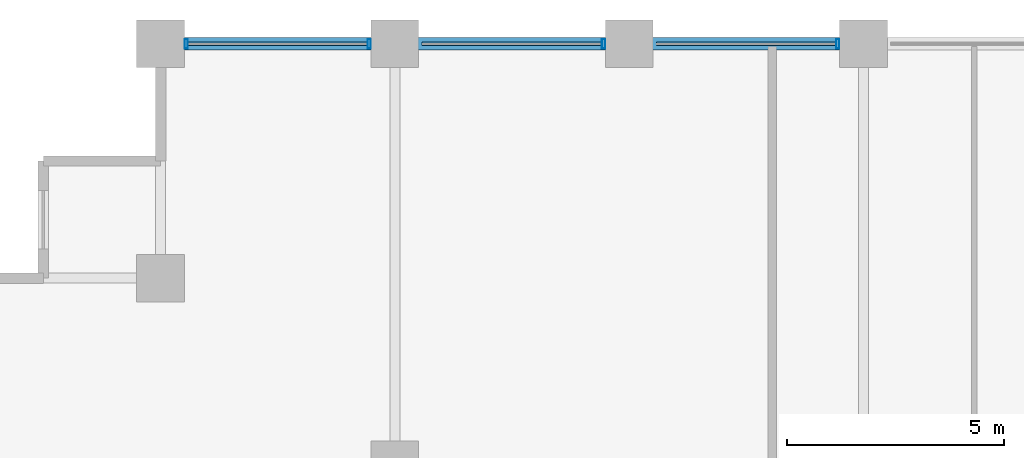
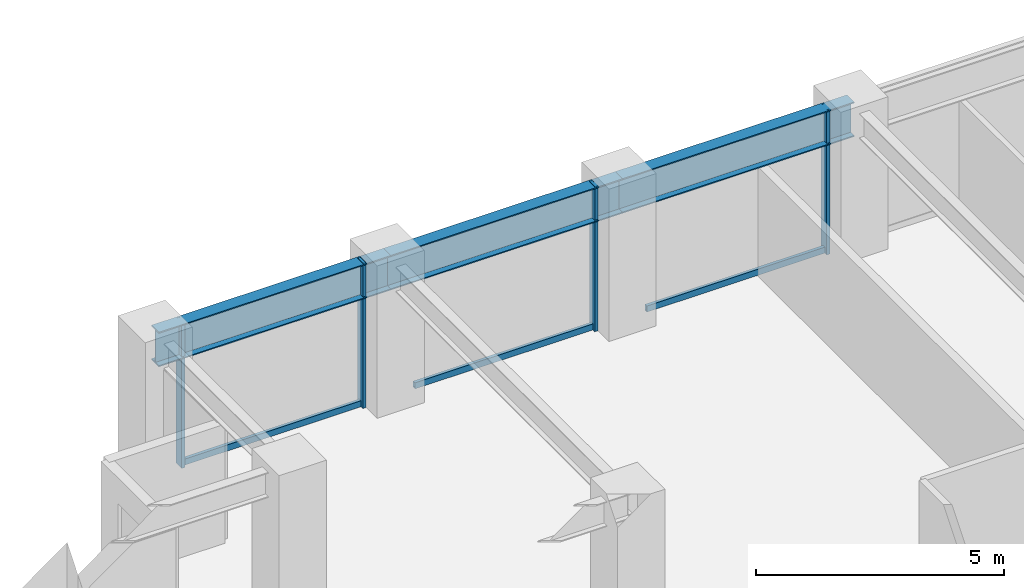
# One storey, part 11 of 25: 7 members, 3 beams, 1 element without a shape of its own.
"""IFC4 building model written with IfcOpenShell, lengths in metres."""

from ifc_helpers import new_model, si_unit, direction, frame, origin, origin_2d, place, context, subcontext, project, spatial, hollow_rectangle, i_section, extrude, material, layer, layer_set, material_profile, profile_set, type_object, element, aggregate, save


model = new_model("IFC4")

# Units and contexts
model_context = context("Model", 3, precision=1e-05, world=origin(), true_north=direction((0.0, 1.0)))
body_context = subcontext(model_context, "Body", "Model", "MODEL_VIEW")
ifc_project = project(units=[si_unit("LENGTHUNIT", "METRE"), si_unit("AREAUNIT", "SQUARE_METRE"), si_unit("VOLUMEUNIT", "CUBIC_METRE"), si_unit("PLANEANGLEUNIT", "RADIAN"), si_unit("MASSUNIT", "GRAM", prefix="KILO")], contexts=[model_context])

# Site, building, storey
site_placement = place(None, origin())
site = spatial("IfcSite", under=ifc_project, at=site_placement, CompositionType="ELEMENT")
building_placement = place(site_placement, origin())
building = spatial("IfcBuilding", under=site, at=building_placement, Name="Surkhivell Harbour Commons", CompositionType="ELEMENT")
storey_placement = place(building_placement, frame((0.0, 0.0, 94.5)))
storey = spatial("IfcBuildingStorey", under=building, at=storey_placement, Name="L24", CompositionType="ELEMENT", Elevation=94.5)

# Beams
ifc_material_1 = material(Name="Steel S460", Category="steel")
ifc_material_profile_1 = material_profile(ifc_material_1, i_section(OverallWidth=0.2939453125, OverallDepth=0.85107421875, WebThickness=0.01611328125, FlangeThickness=0.02685546875, at=origin_2d()), Name="UB838x292x226")
ifc_profile_set_1 = profile_set([ifc_material_profile_1], Name="Steel S460")
beam_type = type_object("IfcBeamType", Name="BM-SPN-838", PredefinedType="SPANDREL", material=ifc_profile_set_1)
beam_1_placement = place(storey_placement, frame((-27.0, 25.89990234375, 3.14453125), z_axis=(1.0, 0.0, 0.0), x_axis=(0.0, 1.0, 0.0)))
element("IfcBeam", 1, at=beam_1_placement, inside=storey, type_object=beam_type, Name="L24 Tube Spandrel (-27.0,25.9)", PredefinedType="SPANDREL", context=body_context, shape_type="SweptSolid", body=[
    extrude(i_section(OverallWidth=0.2939453125, OverallDepth=0.85107421875, WebThickness=0.01611328125, FlangeThickness=0.02685546875, at=origin_2d()), origin(), (0.0, 0.0, 1.0), 5.39990234375),
])
beam_2_placement = place(storey_placement, frame((-21.60009765625, 25.89990234375, 3.14453125), z_axis=(1.0, 0.0, 0.0), x_axis=(0.0, 1.0, 0.0)))
element("IfcBeam", 2, at=beam_2_placement, inside=storey, type_object=beam_type, Name="L24 Tube Spandrel (-21.6,25.9)", PredefinedType="SPANDREL", context=body_context, shape_type="SweptSolid", body=[
    extrude(i_section(OverallWidth=0.2939453125, OverallDepth=0.85107421875, WebThickness=0.01611328125, FlangeThickness=0.02685546875, at=origin_2d()), origin(), (0.0, 0.0, 1.0), 5.400146484375),
])
beam_3_placement = place(storey_placement, frame((-16.199951171875, 25.89990234375, 3.14453125), z_axis=(1.0, 0.0, 0.0), x_axis=(0.0, 1.0, 0.0)))
element("IfcBeam", 3, at=beam_3_placement, inside=storey, type_object=beam_type, Name="L24 Tube Spandrel (-16.2,25.9)", PredefinedType="SPANDREL", context=body_context, shape_type="SweptSolid", body=[
    extrude(i_section(OverallWidth=0.2939453125, OverallDepth=0.85107421875, WebThickness=0.01611328125, FlangeThickness=0.02685546875, at=origin_2d()), origin(), (0.0, 0.0, 1.0), 5.39990234375),
])

# Curtain wall, members
ifc_material_2 = material(Name="Anodised pale-metal aluminium and insulated glazing", Category="aluminium")
ifc_layer = layer(ifc_material_2, 0.205078125)
ifc_layer_set = layer_set([ifc_layer], Name="Anodised pale-metal aluminium and insulated glazing")
curtain_wall_type = type_object("IfcCurtainWallType", Name="CW-SYS-Z2", PredefinedType="NOTDEFINED", material=ifc_layer_set)
curtain_wall_placement = place(storey_placement, origin())
curtain_wall = element("IfcCurtainWall", 4, at=curtain_wall_placement, inside=storey, type_object=curtain_wall_type, Name="L24 Curtain Wall CW-L24-E07S2", PredefinedType="NOTDEFINED")
ifc_material_3 = material(Name="Anodised pale-metal aluminium alloy 6063-T6", Category="aluminium")
ifc_material_profile_2 = material_profile(ifc_material_3, hollow_rectangle(XDim=0.074951171875, YDim=0.219970703125, WallThickness=0.00390625, at=origin_2d()), Name="ALU-MULL-75x220")
ifc_profile_set_2 = profile_set([ifc_material_profile_2], Name="Anodised pale-metal aluminium alloy 6063-T6")
member_type_1 = type_object("IfcMemberType", Name="CWM-220", PredefinedType="MULLION", material=ifc_profile_set_2)
member_1_placement = place(storey_placement, frame((-11.389404296875, 25.89990234375, 0.0), z_axis=(0.0, 0.0, 1.0), x_axis=(-1.0, 0.0, 0.0)))
member_1 = element("IfcMember", 5, at=member_1_placement, type_object=member_type_1, Name="CW-Z2 mullion 2", PredefinedType="MULLION", context=body_context, shape_type="SweptSolid", body=[
    extrude(hollow_rectangle(XDim=0.074951171875, YDim=0.219970703125, WallThickness=0.00390625, at=origin_2d()), origin(), (0.0, 0.0, 1.0), 3.570068359375),
])
member_2_placement = place(storey_placement, frame((-16.78955078125, 25.89990234375, 0.0), z_axis=(0.0, 0.0, 1.0), x_axis=(-1.0, 0.0, 0.0)))
member_2 = element("IfcMember", 6, at=member_2_placement, type_object=member_type_1, Name="CW-Z2 mullion 3", PredefinedType="MULLION", context=body_context, shape_type="SweptSolid", body=[
    extrude(hollow_rectangle(XDim=0.074951171875, YDim=0.219970703125, WallThickness=0.00390625, at=origin_2d()), origin(), (0.0, 0.0, 1.0), 3.570068359375),
])
member_3_placement = place(storey_placement, frame((-22.189453125, 25.89990234375, 0.0), z_axis=(0.0, 0.0, 1.0), x_axis=(-1.0, 0.0, 0.0)))
member_3 = element("IfcMember", 7, at=member_3_placement, type_object=member_type_1, Name="CW-Z2 mullion 4", PredefinedType="MULLION", context=body_context, shape_type="SweptSolid", body=[
    extrude(hollow_rectangle(XDim=0.074951171875, YDim=0.219970703125, WallThickness=0.00390625, at=origin_2d()), origin(), (0.0, 0.0, 1.0), 3.570068359375),
])
member_4_placement = place(storey_placement, frame((-26.410400390625, 25.89990234375, 0.0), z_axis=(0.0, 0.0, 1.0), x_axis=(-1.0, 0.0, 0.0)))
member_4 = element("IfcMember", 8, at=member_4_placement, type_object=member_type_1, Name="CW-Z2 mullion 5", PredefinedType="MULLION", context=body_context, shape_type="SweptSolid", body=[
    extrude(hollow_rectangle(XDim=0.074951171875, YDim=0.219970703125, WallThickness=0.00390625, at=origin_2d()), origin(), (0.0, 0.0, 1.0), 3.570068359375),
])
ifc_material_profile_3 = material_profile(ifc_material_3, hollow_rectangle(XDim=0.074951171875, YDim=0.14990234375, WallThickness=0.00341796875, at=origin_2d()), Name="ALU-TRAN-75x150")
ifc_profile_set_3 = profile_set([ifc_material_profile_3], Name="Anodised pale-metal aluminium alloy 6063-T6")
member_type_2 = type_object("IfcMemberType", Name="CWT-150", PredefinedType="USERDEFINED", material=ifc_profile_set_3)
member_5_placement = place(storey_placement, frame((-11.427001953125, 25.89990234375, 0.074951171875), z_axis=(-1.0, 0.0, 0.0), x_axis=(0.0, -1.0, 0.0)))
member_5 = element("IfcMember", 9, at=member_5_placement, type_object=member_type_2, Name="CW-Z2 transom 2.1", ObjectType="TRANSOM", PredefinedType="USERDEFINED", context=body_context, shape_type="SweptSolid", body=[
    extrude(hollow_rectangle(XDim=0.074951171875, YDim=0.14990234375, WallThickness=0.00341796875, at=origin_2d()), origin(), (0.0, 0.0, 1.0), 4.14599609375),
])
member_6_placement = place(storey_placement, frame((-16.826904296875, 25.89990234375, 0.074951171875), z_axis=(-1.0, 0.0, 0.0), x_axis=(0.0, -1.0, 0.0)))
member_6 = element("IfcMember", 10, at=member_6_placement, type_object=member_type_2, Name="CW-Z2 transom 3.1", ObjectType="TRANSOM", PredefinedType="USERDEFINED", context=body_context, shape_type="SweptSolid", body=[
    extrude(hollow_rectangle(XDim=0.074951171875, YDim=0.14990234375, WallThickness=0.00341796875, at=origin_2d()), origin(), (0.0, 0.0, 1.0), 4.14599609375),
])
member_7_placement = place(storey_placement, frame((-22.22705078125, 25.89990234375, 0.074951171875), z_axis=(-1.0, 0.0, 0.0), x_axis=(0.0, -1.0, 0.0)))
member_7 = element("IfcMember", 11, at=member_7_placement, type_object=member_type_2, Name="CW-Z2 transom 4.1", ObjectType="TRANSOM", PredefinedType="USERDEFINED", context=body_context, shape_type="SweptSolid", body=[
    extrude(hollow_rectangle(XDim=0.074951171875, YDim=0.14990234375, WallThickness=0.00341796875, at=origin_2d()), origin(), (0.0, 0.0, 1.0), 4.14599609375),
])
aggregate(curtain_wall, [member_1, member_5, member_2, member_6, member_3, member_4, member_7])

save(model, "model.ifc")
